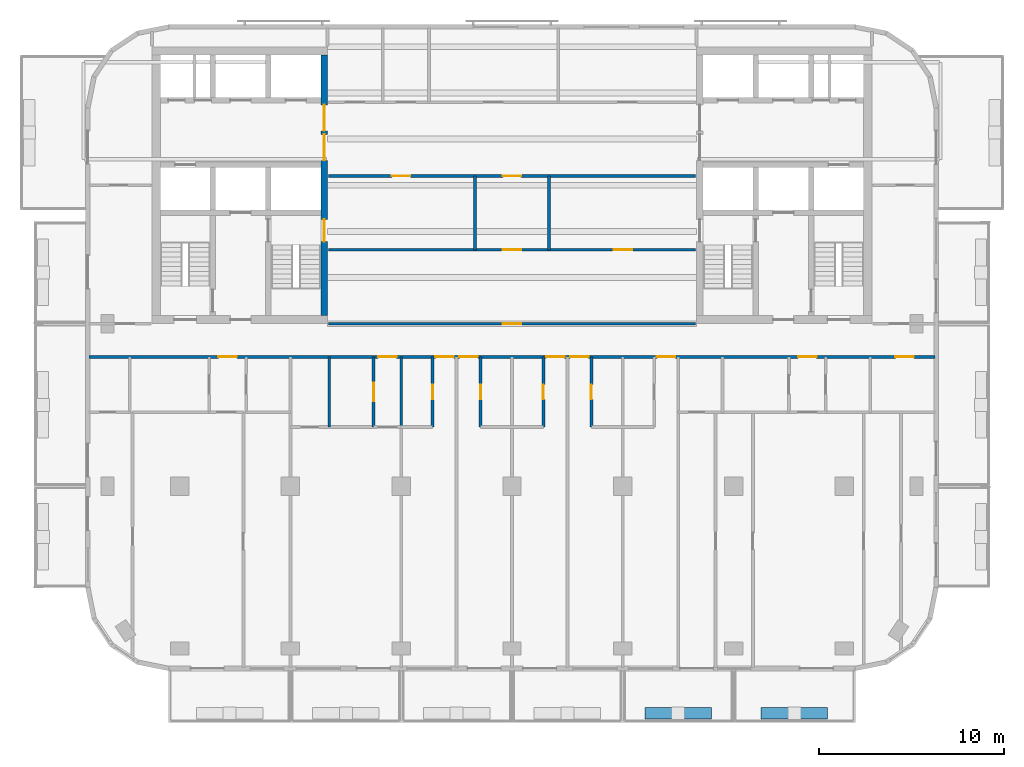
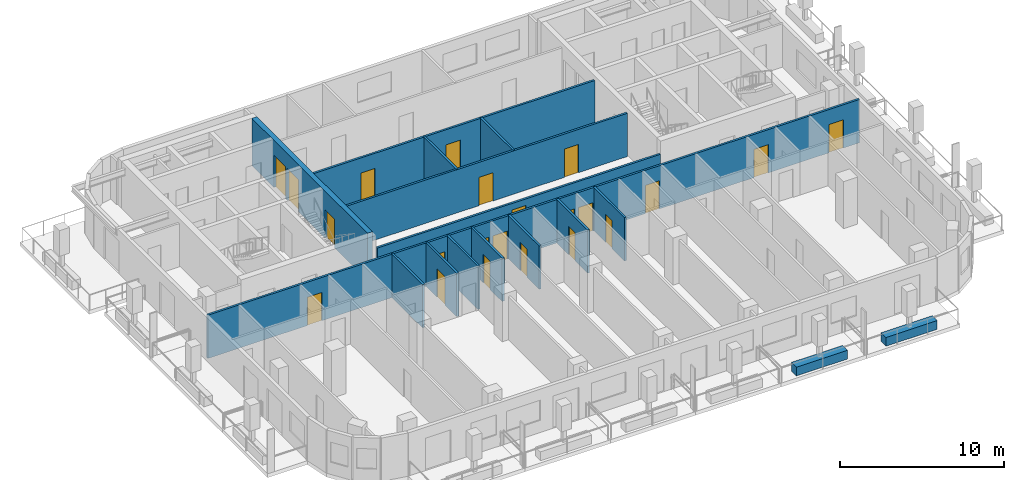
# One storey, part 4 of 11: 22 doors, 16 walls, 22 openings.
"""IFC4 building model written with IfcOpenShell, lengths in metres."""

from ifc_helpers import new_model, si_unit, direction, frame, frame_2d, origin, place, context, subcontext, project, spatial, rectangle, extrude, material, layer, layer_set, type_object, element, fill, save


model = new_model("IFC4")

# Units and contexts
model_context = context("Model", 3, precision=1e-05, world=origin(), true_north=direction((0.0, 1.0)))
body_context = subcontext(model_context, "Body", "Model", "MODEL_VIEW")
ifc_project = project(units=[si_unit("LENGTHUNIT", "METRE"), si_unit("AREAUNIT", "SQUARE_METRE"), si_unit("VOLUMEUNIT", "CUBIC_METRE"), si_unit("PLANEANGLEUNIT", "RADIAN"), si_unit("MASSUNIT", "GRAM", prefix="KILO")], contexts=[model_context])

# Site, building, storey
site_placement = place(None, origin())
site = spatial("IfcSite", under=ifc_project, at=site_placement, CompositionType="ELEMENT")
building_placement = place(site_placement, origin())
building = spatial("IfcBuilding", under=site, at=building_placement, Name="Torana Hotel and Residences", CompositionType="ELEMENT")
storey_placement = place(building_placement, frame((0.0, 0.0, 259.60009765625)))
storey = spatial("IfcBuildingStorey", under=building, at=storey_placement, Name="L68", CompositionType="ELEMENT", Elevation=259.60009765625)

# Wall, openings, doors
ifc_material_1 = material(Name="Concrete C60/75", Category="concrete")
ifc_layer_1 = layer(ifc_material_1, 0.35009765625)
ifc_layer_set_1 = layer_set([ifc_layer_1], Name="CORE WALL 350 C60/75")
wall_type_1 = type_object("IfcWallType", Name="CORE WALL 350 C60/75", PredefinedType="SHEAR", material=ifc_layer_set_1)
wall_1_placement = place(storey_placement, frame((-10.175048828125, -14.550048828125, 0.0), z_axis=(0.0, 0.0, 1.0), x_axis=(0.0, 1.0, 0.0)))
wall_1 = element("IfcWall", 1, at=wall_1_placement, inside=storey, type_object=wall_type_1, Name="Core wall W arch", PredefinedType="SHEAR", context=body_context, shape_type="SweptSolid", body=[
    extrude(rectangle(XDim=14.10009765625, YDim=0.35009765625, at=frame_2d((7.050048828125, 0.0))), origin(), (0.0, 0.0, 1.0), 3.5),
])
opening_1_placement = place(wall_1_placement, frame((8.39990234375, 0.0, 0.0)))
opening_1 = element("IfcOpeningElement", 2, at=opening_1_placement, cuts=wall_1, Name="Opening L68-01", PredefinedType="OPENING", context=body_context, shape_type="SweptSolid", body=[
    extrude(rectangle(XDim=1.39990234375, YDim=2.39990234375, at=frame_2d((0.699951171875, 1.199951171875))), frame((0.0, 0.18505859375, 0.0), z_axis=(0.0, -1.0, 0.0), x_axis=(1.0, 0.0, 0.0)), (0.0, 0.0, 1.0), 0.3701171875),
])
opening_2_placement = place(wall_1_placement, frame((10.0, 0.0, 0.0)))
opening_2 = element("IfcOpeningElement", 3, at=opening_2_placement, cuts=wall_1, Name="Opening L68-02", PredefinedType="OPENING", context=body_context, shape_type="SweptSolid", body=[
    extrude(rectangle(XDim=1.39990234375, YDim=2.39990234375, at=frame_2d((0.699951171875, 1.199951171875))), frame((0.0, 0.18505859375, 0.0), z_axis=(0.0, -1.0, 0.0), x_axis=(1.0, 0.0, 0.0)), (0.0, 0.0, 1.0), 0.3701171875),
])
opening_3_placement = place(wall_1_placement, frame((4.0, 0.0, 0.0)))
opening_3 = element("IfcOpeningElement", 4, at=opening_3_placement, cuts=wall_1, Name="Opening L68-03", PredefinedType="OPENING", context=body_context, shape_type="SweptSolid", body=[
    extrude(rectangle(XDim=1.199951171875, YDim=2.10009765625, at=frame_2d((0.60009765625, 1.050048828125))), frame((0.0, 0.18505859375, 0.0), z_axis=(0.0, -1.0, 0.0), x_axis=(1.0, 0.0, 0.0)), (0.0, 0.0, 1.0), 0.3701171875),
])
ifc_material_2 = material(Name="Steel S235", Category="steel")
door_type_1 = type_object("IfcDoorType", Name="LOBBY FIRE DOOR D4 1400x2400", OperationType="DOUBLE_DOOR_SINGLE_SWING", PredefinedType="DOOR", material=ifc_material_2)
door_1_placement = place(opening_1_placement, origin())
door_1 = element("IfcDoor", 5, at=door_1_placement, inside=storey, type_object=door_type_1, Name="Lobby-1 door L68", OperationType="DOUBLE_DOOR_SINGLE_SWING", OverallHeight=2.39990234375, OverallWidth=1.39990234375, PredefinedType="DOOR", context=body_context, shape_type="SweptSolid", body=[
    extrude(rectangle(XDim=1.39990234375, YDim=2.39990234375, at=frame_2d((0.699951171875, 1.199951171875))), frame((0.0, 0.02490234375, 0.0), z_axis=(0.0, -1.0, 0.0), x_axis=(1.0, 0.0, 0.0)), (0.0, 0.0, 1.0), 0.050048828125),
])
fill(opening_1, door_1)
door_2_placement = place(opening_2_placement, origin())
door_2 = element("IfcDoor", 6, at=door_2_placement, inside=storey, type_object=door_type_1, Name="Lobby-2 door L68", OperationType="DOUBLE_DOOR_SINGLE_SWING", OverallHeight=2.39990234375, OverallWidth=1.39990234375, PredefinedType="DOOR", context=body_context, shape_type="SweptSolid", body=[
    extrude(rectangle(XDim=1.39990234375, YDim=2.39990234375, at=frame_2d((0.699951171875, 1.199951171875))), frame((0.0, 0.02490234375, 0.0), z_axis=(0.0, -1.0, 0.0), x_axis=(1.0, 0.0, 0.0)), (0.0, 0.0, 1.0), 0.050048828125),
])
fill(opening_2, door_2)
ifc_material_3 = material(Name="Steel S235", Category="steel")
door_type_2 = type_object("IfcDoorType", Name="STAIR FIRE DOOR D3 1200x2100", OperationType="SINGLE_SWING_LEFT", PredefinedType="DOOR", material=ifc_material_3)
door_3_placement = place(opening_3_placement, origin())
door_3 = element("IfcDoor", 7, at=door_3_placement, inside=storey, type_object=door_type_2, Name="Stair-A door L68", OperationType="SINGLE_SWING_LEFT", OverallHeight=2.10009765625, OverallWidth=1.199951171875, PredefinedType="DOOR", context=body_context, shape_type="SweptSolid", body=[
    extrude(rectangle(XDim=1.199951171875, YDim=2.10009765625, at=frame_2d((0.60009765625, 1.050048828125))), frame((0.0, 0.02490234375, 0.0), z_axis=(0.0, -1.0, 0.0), x_axis=(1.0, 0.0, 0.0)), (0.0, 0.0, 1.0), 0.050048828125),
])
fill(opening_3, door_3)

# Walls
ifc_material_4 = material(Name="Gypsum plaster")
ifc_layer_2 = layer(ifc_material_4, 0.014892578125, Name="Plaster", Category="finish")
ifc_material_5 = material(Name="Concrete blockwork", Category="masonry")
ifc_layer_3 = layer(ifc_material_5, 0.1201171875, Name="Blockwork", Category="structure")
ifc_layer_4 = layer(ifc_material_4, 0.014892578125, Name="Plaster", Category="finish")
ifc_layer_set_2 = layer_set([ifc_layer_2, ifc_layer_3, ifc_layer_4], Name="FIRE PARTITION 150 BLOCKWORK")
wall_type_2 = type_object("IfcWallType", Name="FIRE PARTITION 150 BLOCKWORK", PredefinedType="PARTITIONING", material=ifc_layer_set_2)
for number, where, z_axis, x_axis, name in (
    (8, (2.0, -11.0, 0.0), (0.0, 0.0, 1.0), (0.0, 1.0, 0.0), "Partition L68"),
    (9, (-2.0, -11.0, 0.0), (0.0, 0.0, 1.0), (0.0, 1.0, 0.0), "Partition L68"),
):
    element("IfcWall", number, at=place(storey_placement, frame(where, z_axis=z_axis, x_axis=x_axis)), inside=storey, type_object=wall_type_2, Name=name, PredefinedType="PARTITIONING", context=body_context, shape_type="SweptSolid", body=[
        extrude(rectangle(XDim=4.0, YDim=0.14990234375, at=frame_2d((2.0, 0.0))), origin(), (0.0, 0.0, 1.0), 3.219970703125),
    ])
wall_2_placement = place(storey_placement, frame((-6.0, -20.60009765625, 0.0), z_axis=(0.0, 0.0, 1.0), x_axis=(0.0, 1.0, 0.0)))
element("IfcWall", 10, at=wall_2_placement, inside=storey, type_object=wall_type_2, Name="Partition L68", PredefinedType="PARTITIONING", context=body_context, shape_type="SweptSolid", body=[
    extrude(rectangle(XDim=3.800048828125, YDim=0.14990234375, at=frame_2d((1.89990234375, 0.0))), origin(), (0.0, 0.0, 1.0), 3.219970703125),
])

# Wall, opening, door
wall_3_placement = place(storey_placement, frame((-7.5, -20.60009765625, 0.0), z_axis=(0.0, 0.0, 1.0), x_axis=(0.0, 1.0, 0.0)))
wall_3 = element("IfcWall", 11, at=wall_3_placement, inside=storey, type_object=wall_type_2, Name="Partition L68", PredefinedType="PARTITIONING", context=body_context, shape_type="SweptSolid", body=[
    extrude(rectangle(XDim=3.800048828125, YDim=0.14990234375, at=frame_2d((1.89990234375, 0.0))), origin(), (0.0, 0.0, 1.0), 3.219970703125),
])
opening_4_placement = place(wall_3_placement, frame((1.39990234375, 0.0, 0.0)))
opening_4 = element("IfcOpeningElement", 12, at=opening_4_placement, cuts=wall_3, Name="Opening L68-40", PredefinedType="OPENING", context=body_context, shape_type="SweptSolid", body=[
    extrude(rectangle(XDim=1.0, YDim=2.10009765625, at=frame_2d((0.5, 1.050048828125))), frame((0.0, 0.0849609375, 0.0), z_axis=(0.0, -1.0, 0.0), x_axis=(1.0, 0.0, 0.0)), (0.0, 0.0, 1.0), 0.169921875),
])
ifc_material_6 = material(Name="Steel S235", Category="steel")
door_type_3 = type_object("IfcDoorType", Name="ENTRY FIRE DOOR D6 1000x2100", OperationType="SINGLE_SWING_LEFT", PredefinedType="DOOR", material=ifc_material_6)
door_4_placement = place(opening_4_placement, origin())
door_4 = element("IfcDoor", 13, at=door_4_placement, inside=storey, type_object=door_type_3, Name="Door L68", OperationType="SINGLE_SWING_RIGHT", OverallHeight=2.10009765625, OverallWidth=1.0, PredefinedType="DOOR", context=body_context, shape_type="SweptSolid", body=[
    extrude(rectangle(XDim=1.0, YDim=2.10009765625, at=frame_2d((0.5, 1.050048828125))), frame((0.0, 0.02490234375, 0.0), z_axis=(0.0, -1.0, 0.0), x_axis=(1.0, 0.0, 0.0)), (0.0, 0.0, 1.0), 0.050048828125),
])
fill(opening_4, door_4)

# Wall, openings, doors
wall_4_placement = place(storey_placement, frame((-22.919921875, -16.800048828125, 0.0), z_axis=(0.0, 0.0, 1.0), x_axis=(1.0, 0.0, 0.0)))
wall_4 = element("IfcWall", 14, at=wall_4_placement, inside=storey, type_object=wall_type_2, Name="Partition L68", PredefinedType="PARTITIONING", context=body_context, shape_type="SweptSolid", body=[
    extrude(rectangle(XDim=45.83984375, YDim=0.14990234375, at=frame_2d((22.919921875, 0.0))), origin(), (0.0, 0.0, 1.0), 3.219970703125),
])
opening_5_placement = place(wall_4_placement, frame((15.669921875, 0.0, 0.0)))
opening_5 = element("IfcOpeningElement", 15, at=opening_5_placement, cuts=wall_4, Name="Opening L68-20", PredefinedType="OPENING", context=body_context, shape_type="SweptSolid", body=[
    extrude(rectangle(XDim=1.0, YDim=2.10009765625, at=frame_2d((0.5, 1.050048828125))), frame((0.0, 0.0849609375, 0.0), z_axis=(0.0, -1.0, 0.0), x_axis=(1.0, 0.0, 0.0)), (0.0, 0.0, 1.0), 0.169921875),
])
opening_6_placement = place(wall_4_placement, frame((18.77001953125, 0.0, 0.0)))
opening_6 = element("IfcOpeningElement", 16, at=opening_6_placement, cuts=wall_4, Name="Opening L68-21", PredefinedType="OPENING", context=body_context, shape_type="SweptSolid", body=[
    extrude(rectangle(XDim=1.0, YDim=2.10009765625, at=frame_2d((0.5, 1.050048828125))), frame((0.0, 0.0849609375, 0.0), z_axis=(0.0, -1.0, 0.0), x_axis=(1.0, 0.0, 0.0)), (0.0, 0.0, 1.0), 0.169921875),
])
opening_7_placement = place(wall_4_placement, frame((20.070068359375, 0.0, 0.0)))
opening_7 = element("IfcOpeningElement", 17, at=opening_7_placement, cuts=wall_4, Name="Opening L68-22", PredefinedType="OPENING", context=body_context, shape_type="SweptSolid", body=[
    extrude(rectangle(XDim=1.0, YDim=2.10009765625, at=frame_2d((0.5, 1.050048828125))), frame((0.0, 0.0849609375, 0.0), z_axis=(0.0, -1.0, 0.0), x_axis=(1.0, 0.0, 0.0)), (0.0, 0.0, 1.0), 0.169921875),
])
opening_8_placement = place(wall_4_placement, frame((24.77001953125, 0.0, 0.0)))
opening_8 = element("IfcOpeningElement", 18, at=opening_8_placement, cuts=wall_4, Name="Opening L68-23", PredefinedType="OPENING", context=body_context, shape_type="SweptSolid", body=[
    extrude(rectangle(XDim=1.0, YDim=2.10009765625, at=frame_2d((0.5, 1.050048828125))), frame((0.0, 0.0849609375, 0.0), z_axis=(0.0, -1.0, 0.0), x_axis=(1.0, 0.0, 0.0)), (0.0, 0.0, 1.0), 0.169921875),
])
opening_9_placement = place(wall_4_placement, frame((26.070068359375, 0.0, 0.0)))
opening_9 = element("IfcOpeningElement", 19, at=opening_9_placement, cuts=wall_4, Name="Opening L68-24", PredefinedType="OPENING", context=body_context, shape_type="SweptSolid", body=[
    extrude(rectangle(XDim=1.0, YDim=2.10009765625, at=frame_2d((0.5, 1.050048828125))), frame((0.0, 0.0849609375, 0.0), z_axis=(0.0, -1.0, 0.0), x_axis=(1.0, 0.0, 0.0)), (0.0, 0.0, 1.0), 0.169921875),
])
opening_10_placement = place(wall_4_placement, frame((30.77001953125, 0.0, 0.0)))
opening_10 = element("IfcOpeningElement", 20, at=opening_10_placement, cuts=wall_4, Name="Opening L68-25", PredefinedType="OPENING", context=body_context, shape_type="SweptSolid", body=[
    extrude(rectangle(XDim=1.0, YDim=2.10009765625, at=frame_2d((0.5, 1.050048828125))), frame((0.0, 0.0849609375, 0.0), z_axis=(0.0, -1.0, 0.0), x_axis=(1.0, 0.0, 0.0)), (0.0, 0.0, 1.0), 0.169921875),
])
opening_11_placement = place(wall_4_placement, frame((7.02001953125, 0.0, 0.0)))
opening_11 = element("IfcOpeningElement", 21, at=opening_11_placement, cuts=wall_4, Name="Opening L68-26", PredefinedType="OPENING", context=body_context, shape_type="SweptSolid", body=[
    extrude(rectangle(XDim=1.0, YDim=2.10009765625, at=frame_2d((0.5, 1.050048828125))), frame((0.0, 0.0849609375, 0.0), z_axis=(0.0, -1.0, 0.0), x_axis=(1.0, 0.0, 0.0)), (0.0, 0.0, 1.0), 0.169921875),
])
opening_12_placement = place(wall_4_placement, frame((38.419921875, 0.0, 0.0)))
opening_12 = element("IfcOpeningElement", 22, at=opening_12_placement, cuts=wall_4, Name="Opening L68-27", PredefinedType="OPENING", context=body_context, shape_type="SweptSolid", body=[
    extrude(rectangle(XDim=1.0, YDim=2.10009765625, at=frame_2d((0.5, 1.050048828125))), frame((0.0, 0.0849609375, 0.0), z_axis=(0.0, -1.0, 0.0), x_axis=(1.0, 0.0, 0.0)), (0.0, 0.0, 1.0), 0.169921875),
])
opening_13_placement = place(wall_4_placement, frame((43.68994140625, 0.0, 0.0)))
opening_13 = element("IfcOpeningElement", 23, at=opening_13_placement, cuts=wall_4, Name="Opening L68-28", PredefinedType="OPENING", context=body_context, shape_type="SweptSolid", body=[
    extrude(rectangle(XDim=1.0, YDim=2.10009765625, at=frame_2d((0.5, 1.050048828125))), frame((0.0, 0.0849609375, 0.0), z_axis=(0.0, -1.0, 0.0), x_axis=(1.0, 0.0, 0.0)), (0.0, 0.0, 1.0), 0.169921875),
])
door_5_placement = place(opening_5_placement, origin())
door_5 = element("IfcDoor", 24, at=door_5_placement, inside=storey, type_object=door_type_3, Name="Door L68", OperationType="SINGLE_SWING_RIGHT", OverallHeight=2.10009765625, OverallWidth=1.0, PredefinedType="DOOR", context=body_context, shape_type="SweptSolid", body=[
    extrude(rectangle(XDim=1.0, YDim=2.10009765625, at=frame_2d((0.5, 1.050048828125))), frame((0.0, 0.02490234375, 0.0), z_axis=(0.0, -1.0, 0.0), x_axis=(1.0, 0.0, 0.0)), (0.0, 0.0, 1.0), 0.050048828125),
])
fill(opening_5, door_5)
door_6_placement = place(opening_6_placement, frame((0.5, 0.0, 0.0), z_axis=(0.0, 0.0, 1.0), x_axis=(-1.0, 0.0, 0.0)))
door_6 = element("IfcDoor", 25, at=door_6_placement, inside=storey, type_object=door_type_3, Name="Door L68", OperationType="SINGLE_SWING_LEFT", OverallHeight=2.10009765625, OverallWidth=1.0, PredefinedType="DOOR", context=body_context, shape_type="SweptSolid", body=[
    extrude(rectangle(XDim=1.0, YDim=2.10009765625, at=frame_2d((0.0, 1.050048828125))), frame((0.0, -0.02490234375, 0.0), z_axis=(0.0, 1.0, 0.0), x_axis=(-1.0, 0.0, 0.0)), (0.0, 0.0, 1.0), 0.050048828125),
])
fill(opening_6, door_6)
door_7_placement = place(opening_7_placement, frame((0.5, 0.0, 0.0), z_axis=(0.0, 0.0, 1.0), x_axis=(-1.0, 0.0, 0.0)))
door_7 = element("IfcDoor", 26, at=door_7_placement, inside=storey, type_object=door_type_3, Name="Door L68", OperationType="SINGLE_SWING_LEFT", OverallHeight=2.10009765625, OverallWidth=1.0, PredefinedType="DOOR", context=body_context, shape_type="SweptSolid", body=[
    extrude(rectangle(XDim=1.0, YDim=2.10009765625, at=frame_2d((0.0, 1.050048828125))), frame((0.0, -0.02490234375, 0.0), z_axis=(0.0, 1.0, 0.0), x_axis=(-1.0, 0.0, 0.0)), (0.0, 0.0, 1.0), 0.050048828125),
])
fill(opening_7, door_7)
door_8_placement = place(opening_8_placement, frame((0.5, 0.0, 0.0), z_axis=(0.0, 0.0, 1.0), x_axis=(-1.0, 0.0, 0.0)))
door_8 = element("IfcDoor", 27, at=door_8_placement, inside=storey, type_object=door_type_3, Name="Door L68", OperationType="SINGLE_SWING_LEFT", OverallHeight=2.10009765625, OverallWidth=1.0, PredefinedType="DOOR", context=body_context, shape_type="SweptSolid", body=[
    extrude(rectangle(XDim=1.0, YDim=2.10009765625, at=frame_2d((0.0, 1.050048828125))), frame((0.0, -0.02490234375, 0.0), z_axis=(0.0, 1.0, 0.0), x_axis=(-1.0, 0.0, 0.0)), (0.0, 0.0, 1.0), 0.050048828125),
])
fill(opening_8, door_8)
door_9_placement = place(opening_9_placement, frame((0.5, 0.0, 0.0), z_axis=(0.0, 0.0, 1.0), x_axis=(-1.0, 0.0, 0.0)))
door_9 = element("IfcDoor", 28, at=door_9_placement, inside=storey, type_object=door_type_3, Name="Door L68", OperationType="SINGLE_SWING_LEFT", OverallHeight=2.10009765625, OverallWidth=1.0, PredefinedType="DOOR", context=body_context, shape_type="SweptSolid", body=[
    extrude(rectangle(XDim=1.0, YDim=2.10009765625, at=frame_2d((0.0, 1.050048828125))), frame((0.0, -0.02490234375, 0.0), z_axis=(0.0, 1.0, 0.0), x_axis=(-1.0, 0.0, 0.0)), (0.0, 0.0, 1.0), 0.050048828125),
])
fill(opening_9, door_9)
door_10_placement = place(opening_10_placement, frame((0.5, 0.0, 0.0), z_axis=(0.0, 0.0, 1.0), x_axis=(-1.0, 0.0, 0.0)))
door_10 = element("IfcDoor", 29, at=door_10_placement, inside=storey, type_object=door_type_3, Name="Door L68", OperationType="SINGLE_SWING_LEFT", OverallHeight=2.10009765625, OverallWidth=1.0, PredefinedType="DOOR", context=body_context, shape_type="SweptSolid", body=[
    extrude(rectangle(XDim=1.0, YDim=2.10009765625, at=frame_2d((0.0, 1.050048828125))), frame((0.0, -0.02490234375, 0.0), z_axis=(0.0, 1.0, 0.0), x_axis=(-1.0, 0.0, 0.0)), (0.0, 0.0, 1.0), 0.050048828125),
])
fill(opening_10, door_10)
door_11_placement = place(opening_11_placement, origin())
door_11 = element("IfcDoor", 30, at=door_11_placement, inside=storey, type_object=door_type_3, Name="Door L68", OperationType="SINGLE_SWING_RIGHT", OverallHeight=2.10009765625, OverallWidth=1.0, PredefinedType="DOOR", context=body_context, shape_type="SweptSolid", body=[
    extrude(rectangle(XDim=1.0, YDim=2.10009765625, at=frame_2d((0.5, 1.050048828125))), frame((0.0, 0.02490234375, 0.0), z_axis=(0.0, -1.0, 0.0), x_axis=(1.0, 0.0, 0.0)), (0.0, 0.0, 1.0), 0.050048828125),
])
fill(opening_11, door_11)
door_12_placement = place(opening_12_placement, origin())
door_12 = element("IfcDoor", 31, at=door_12_placement, inside=storey, type_object=door_type_3, Name="Door L68", OperationType="SINGLE_SWING_RIGHT", OverallHeight=2.10009765625, OverallWidth=1.0, PredefinedType="DOOR", context=body_context, shape_type="SweptSolid", body=[
    extrude(rectangle(XDim=1.0, YDim=2.10009765625, at=frame_2d((0.5, 1.050048828125))), frame((0.0, 0.02490234375, 0.0), z_axis=(0.0, -1.0, 0.0), x_axis=(1.0, 0.0, 0.0)), (0.0, 0.0, 1.0), 0.050048828125),
])
fill(opening_12, door_12)
door_13_placement = place(opening_13_placement, frame((0.5, 0.0, 0.0), z_axis=(0.0, 0.0, 1.0), x_axis=(-1.0, 0.0, 0.0)))
door_13 = element("IfcDoor", 32, at=door_13_placement, inside=storey, type_object=door_type_3, Name="Door L68", OperationType="SINGLE_SWING_RIGHT", OverallHeight=2.10009765625, OverallWidth=1.0, PredefinedType="DOOR", context=body_context, shape_type="SweptSolid", body=[
    extrude(rectangle(XDim=1.0, YDim=2.10009765625, at=frame_2d((0.0, 1.050048828125))), frame((0.0, -0.02490234375, 0.0), z_axis=(0.0, 1.0, 0.0), x_axis=(-1.0, 0.0, 0.0)), (0.0, 0.0, 1.0), 0.050048828125),
])
fill(opening_13, door_13)

# Wall, opening, door
wall_5_placement = place(storey_placement, frame((-9.949951171875, -15.0, 0.0), z_axis=(0.0, 0.0, 1.0), x_axis=(1.0, 0.0, 0.0)))
wall_5 = element("IfcWall", 33, at=wall_5_placement, inside=storey, type_object=wall_type_2, Name="Partition L68", PredefinedType="PARTITIONING", context=body_context, shape_type="SweptSolid", body=[
    extrude(rectangle(XDim=19.89990234375, YDim=0.14990234375, at=frame_2d((9.949951171875, 0.0))), origin(), (0.0, 0.0, 1.0), 2.583984375),
])
opening_14_placement = place(wall_5_placement, frame((9.449951171875, 0.0, 0.0)))
opening_14 = element("IfcOpeningElement", 34, at=opening_14_placement, cuts=wall_5, Name="Opening L68-19", PredefinedType="OPENING", context=body_context, shape_type="SweptSolid", body=[
    extrude(rectangle(XDim=1.0, YDim=2.10009765625, at=frame_2d((0.5, 1.050048828125))), frame((0.0, 0.0849609375, 0.0), z_axis=(0.0, -1.0, 0.0), x_axis=(1.0, 0.0, 0.0)), (0.0, 0.0, 1.0), 0.169921875),
])
door_14_placement = place(opening_14_placement, origin())
door_14 = element("IfcDoor", 35, at=door_14_placement, inside=storey, type_object=door_type_3, Name="Door L68", OperationType="SINGLE_SWING_RIGHT", OverallHeight=2.10009765625, OverallWidth=1.0, PredefinedType="DOOR", context=body_context, shape_type="SweptSolid", body=[
    extrude(rectangle(XDim=1.0, YDim=2.10009765625, at=frame_2d((0.5, 1.050048828125))), frame((0.0, 0.02490234375, 0.0), z_axis=(0.0, -1.0, 0.0), x_axis=(1.0, 0.0, 0.0)), (0.0, 0.0, 1.0), 0.050048828125),
])
fill(opening_14, door_14)

# Wall, openings, doors
wall_6_placement = place(storey_placement, frame((-9.949951171875, -11.0, 0.0), z_axis=(0.0, 0.0, 1.0), x_axis=(1.0, 0.0, 0.0)))
wall_6 = element("IfcWall", 36, at=wall_6_placement, inside=storey, type_object=wall_type_2, Name="Partition L68", PredefinedType="PARTITIONING", context=body_context, shape_type="SweptSolid", body=[
    extrude(rectangle(XDim=19.89990234375, YDim=0.14990234375, at=frame_2d((9.949951171875, 0.0))), origin(), (0.0, 0.0, 1.0), 3.219970703125),
])
opening_15_placement = place(wall_6_placement, frame((9.449951171875, 0.0, 0.0)))
opening_15 = element("IfcOpeningElement", 37, at=opening_15_placement, cuts=wall_6, Name="Opening L68-31", PredefinedType="OPENING", context=body_context, shape_type="SweptSolid", body=[
    extrude(rectangle(XDim=1.0, YDim=2.10009765625, at=frame_2d((0.5, 1.050048828125))), frame((0.0, 0.0849609375, 0.0), z_axis=(0.0, -1.0, 0.0), x_axis=(1.0, 0.0, 0.0)), (0.0, 0.0, 1.0), 0.169921875),
])
opening_16_placement = place(wall_6_placement, frame((15.449951171875, 0.0, 0.0)))
opening_16 = element("IfcOpeningElement", 38, at=opening_16_placement, cuts=wall_6, Name="Opening L68-32", PredefinedType="OPENING", context=body_context, shape_type="SweptSolid", body=[
    extrude(rectangle(XDim=1.0, YDim=2.10009765625, at=frame_2d((0.5, 1.050048828125))), frame((0.0, 0.0849609375, 0.0), z_axis=(0.0, -1.0, 0.0), x_axis=(1.0, 0.0, 0.0)), (0.0, 0.0, 1.0), 0.169921875),
])
door_15_placement = place(opening_15_placement, origin())
door_15 = element("IfcDoor", 39, at=door_15_placement, inside=storey, type_object=door_type_3, Name="Door L68", OperationType="SINGLE_SWING_RIGHT", OverallHeight=2.10009765625, OverallWidth=1.0, PredefinedType="DOOR", context=body_context, shape_type="SweptSolid", body=[
    extrude(rectangle(XDim=1.0, YDim=2.10009765625, at=frame_2d((0.5, 1.050048828125))), frame((0.0, 0.02490234375, 0.0), z_axis=(0.0, -1.0, 0.0), x_axis=(1.0, 0.0, 0.0)), (0.0, 0.0, 1.0), 0.050048828125),
])
fill(opening_15, door_15)
door_16_placement = place(opening_16_placement, origin())
door_16 = element("IfcDoor", 40, at=door_16_placement, inside=storey, type_object=door_type_3, Name="Door L68", OperationType="SINGLE_SWING_RIGHT", OverallHeight=2.10009765625, OverallWidth=1.0, PredefinedType="DOOR", context=body_context, shape_type="SweptSolid", body=[
    extrude(rectangle(XDim=1.0, YDim=2.10009765625, at=frame_2d((0.5, 1.050048828125))), frame((0.0, 0.02490234375, 0.0), z_axis=(0.0, -1.0, 0.0), x_axis=(1.0, 0.0, 0.0)), (0.0, 0.0, 1.0), 0.050048828125),
])
fill(opening_16, door_16)

wall_7_placement = place(storey_placement, frame((-9.949951171875, -7.0, 0.0), z_axis=(0.0, 0.0, 1.0), x_axis=(1.0, 0.0, 0.0)))
wall_7 = element("IfcWall", 41, at=wall_7_placement, inside=storey, type_object=wall_type_2, Name="Partition L68", PredefinedType="PARTITIONING", context=body_context, shape_type="SweptSolid", body=[
    extrude(rectangle(XDim=19.89990234375, YDim=0.14990234375, at=frame_2d((9.949951171875, 0.0))), origin(), (0.0, 0.0, 1.0), 3.219970703125),
])
opening_17_placement = place(wall_7_placement, frame((9.449951171875, 0.0, 0.0)))
opening_17 = element("IfcOpeningElement", 42, at=opening_17_placement, cuts=wall_7, Name="Opening L68-33", PredefinedType="OPENING", context=body_context, shape_type="SweptSolid", body=[
    extrude(rectangle(XDim=1.0, YDim=2.10009765625, at=frame_2d((0.5, 1.050048828125))), frame((0.0, 0.0849609375, 0.0), z_axis=(0.0, -1.0, 0.0), x_axis=(1.0, 0.0, 0.0)), (0.0, 0.0, 1.0), 0.169921875),
])
opening_18_placement = place(wall_7_placement, frame((3.449951171875, 0.0, 0.0)))
opening_18 = element("IfcOpeningElement", 43, at=opening_18_placement, cuts=wall_7, Name="Opening L68-34", PredefinedType="OPENING", context=body_context, shape_type="SweptSolid", body=[
    extrude(rectangle(XDim=1.0, YDim=2.10009765625, at=frame_2d((0.5, 1.050048828125))), frame((0.0, 0.0849609375, 0.0), z_axis=(0.0, -1.0, 0.0), x_axis=(1.0, 0.0, 0.0)), (0.0, 0.0, 1.0), 0.169921875),
])
door_17_placement = place(opening_17_placement, origin())
door_17 = element("IfcDoor", 44, at=door_17_placement, inside=storey, type_object=door_type_3, Name="Door L68", OperationType="SINGLE_SWING_RIGHT", OverallHeight=2.10009765625, OverallWidth=1.0, PredefinedType="DOOR", context=body_context, shape_type="SweptSolid", body=[
    extrude(rectangle(XDim=1.0, YDim=2.10009765625, at=frame_2d((0.5, 1.050048828125))), frame((0.0, 0.02490234375, 0.0), z_axis=(0.0, -1.0, 0.0), x_axis=(1.0, 0.0, 0.0)), (0.0, 0.0, 1.0), 0.050048828125),
])
fill(opening_17, door_17)
door_18_placement = place(opening_18_placement, frame((0.5, 0.0, 0.0), z_axis=(0.0, 0.0, 1.0), x_axis=(-1.0, 0.0, 0.0)))
door_18 = element("IfcDoor", 45, at=door_18_placement, inside=storey, type_object=door_type_3, Name="Door L68", OperationType="SINGLE_SWING_LEFT", OverallHeight=2.10009765625, OverallWidth=1.0, PredefinedType="DOOR", context=body_context, shape_type="SweptSolid", body=[
    extrude(rectangle(XDim=1.0, YDim=2.10009765625, at=frame_2d((0.0, 1.050048828125))), frame((0.0, -0.02490234375, 0.0), z_axis=(0.0, 1.0, 0.0), x_axis=(-1.0, 0.0, 0.0)), (0.0, 0.0, 1.0), 0.050048828125),
])
fill(opening_18, door_18)

# Wall, opening, door
ifc_material_7 = material(Name="Gypsum plasterboard")
ifc_layer_5 = layer(ifc_material_7, 0.012451171875, Name="Plasterboard", Category="finish")
ifc_layer_6 = layer(ifc_material_7, 0.012451171875, Name="Plasterboard", Category="finish")
ifc_material_8 = material(Name="Steel S280GD", Category="steel")
ifc_layer_7 = layer(ifc_material_8, 0.10009765625, Name="Steel studs with mineral wool", Category="insulation")
ifc_layer_8 = layer(ifc_material_7, 0.012451171875, Name="Plasterboard", Category="finish")
ifc_layer_9 = layer(ifc_material_7, 0.012451171875, Name="Plasterboard", Category="finish")
ifc_layer_set_3 = layer_set([ifc_layer_5, ifc_layer_6, ifc_layer_7, ifc_layer_8, ifc_layer_9], Name="PARTITION 150 PLASTERBOARD")
wall_type_3 = type_object("IfcWallType", Name="PARTITION 150 PLASTERBOARD", PredefinedType="PARTITIONING", material=ifc_layer_set_3)
wall_8_placement = place(storey_placement, frame((4.300048828125, -20.60009765625, 0.0), z_axis=(0.0, 0.0, 1.0), x_axis=(0.0, 1.0, 0.0)))
wall_8 = element("IfcWall", 46, at=wall_8_placement, inside=storey, type_object=wall_type_3, Name="Partition L68", PredefinedType="PARTITIONING", context=body_context, shape_type="SweptSolid", body=[
    extrude(rectangle(XDim=3.800048828125, YDim=0.14990234375, at=frame_2d((1.89990234375, 0.0))), origin(), (0.0, 0.0, 1.0), 3.219970703125),
])
opening_19_placement = place(wall_8_placement, frame((1.5, 0.0, 0.0)))
opening_19 = element("IfcOpeningElement", 47, at=opening_19_placement, cuts=wall_8, Name="Opening L68-45", PredefinedType="OPENING", context=body_context, shape_type="SweptSolid", body=[
    extrude(rectangle(XDim=0.800048828125, YDim=2.10009765625, at=frame_2d((0.39990234375, 1.050048828125))), frame((0.0, 0.0849609375, 0.0), z_axis=(0.0, -1.0, 0.0), x_axis=(1.0, 0.0, 0.0)), (0.0, 0.0, 1.0), 0.169921875),
])
ifc_material_9 = material(Name="Timber door, painted", Category="wood")
door_type_4 = type_object("IfcDoorType", Name="BATH DOOR D13 800x2100", OperationType="SINGLE_SWING_LEFT", PredefinedType="DOOR", material=ifc_material_9)
door_19_placement = place(opening_19_placement, origin())
door_19 = element("IfcDoor", 48, at=door_19_placement, inside=storey, type_object=door_type_4, Name="Door L68", OperationType="SINGLE_SWING_RIGHT", OverallHeight=2.10009765625, OverallWidth=0.800048828125, PredefinedType="DOOR", context=body_context, shape_type="SweptSolid", body=[
    extrude(rectangle(XDim=0.800048828125, YDim=2.10009765625, at=frame_2d((0.39990234375, 1.050048828125))), frame((0.0, 0.02490234375, 0.0), z_axis=(0.0, -1.0, 0.0), x_axis=(1.0, 0.0, 0.0)), (0.0, 0.0, 1.0), 0.050048828125),
])
fill(opening_19, door_19)

wall_9_placement = place(storey_placement, frame((1.699951171875, -20.60009765625, 0.0), z_axis=(0.0, 0.0, 1.0), x_axis=(0.0, 1.0, 0.0)))
wall_9 = element("IfcWall", 49, at=wall_9_placement, inside=storey, type_object=wall_type_3, Name="Partition L68", PredefinedType="PARTITIONING", context=body_context, shape_type="SweptSolid", body=[
    extrude(rectangle(XDim=3.800048828125, YDim=0.14990234375, at=frame_2d((1.89990234375, 0.0))), origin(), (0.0, 0.0, 1.0), 3.219970703125),
])
opening_20_placement = place(wall_9_placement, frame((1.5, 0.0, 0.0)))
opening_20 = element("IfcOpeningElement", 50, at=opening_20_placement, cuts=wall_9, Name="Opening L68-44", PredefinedType="OPENING", context=body_context, shape_type="SweptSolid", body=[
    extrude(rectangle(XDim=0.800048828125, YDim=2.10009765625, at=frame_2d((0.39990234375, 1.050048828125))), frame((0.0, 0.0849609375, 0.0), z_axis=(0.0, -1.0, 0.0), x_axis=(1.0, 0.0, 0.0)), (0.0, 0.0, 1.0), 0.169921875),
])
door_20_placement = place(opening_20_placement, origin())
door_20 = element("IfcDoor", 51, at=door_20_placement, inside=storey, type_object=door_type_4, Name="Door L68", OperationType="SINGLE_SWING_RIGHT", OverallHeight=2.10009765625, OverallWidth=0.800048828125, PredefinedType="DOOR", context=body_context, shape_type="SweptSolid", body=[
    extrude(rectangle(XDim=0.800048828125, YDim=2.10009765625, at=frame_2d((0.39990234375, 1.050048828125))), frame((0.0, 0.02490234375, 0.0), z_axis=(0.0, -1.0, 0.0), x_axis=(1.0, 0.0, 0.0)), (0.0, 0.0, 1.0), 0.050048828125),
])
fill(opening_20, door_20)

wall_10_placement = place(storey_placement, frame((-1.699951171875, -20.60009765625, 0.0), z_axis=(0.0, 0.0, 1.0), x_axis=(0.0, 1.0, 0.0)))
wall_10 = element("IfcWall", 52, at=wall_10_placement, inside=storey, type_object=wall_type_3, Name="Partition L68", PredefinedType="PARTITIONING", context=body_context, shape_type="SweptSolid", body=[
    extrude(rectangle(XDim=3.800048828125, YDim=0.14990234375, at=frame_2d((1.89990234375, 0.0))), origin(), (0.0, 0.0, 1.0), 3.219970703125),
])
opening_21_placement = place(wall_10_placement, frame((1.5, 0.0, 0.0)))
opening_21 = element("IfcOpeningElement", 53, at=opening_21_placement, cuts=wall_10, Name="Opening L68-43", PredefinedType="OPENING", context=body_context, shape_type="SweptSolid", body=[
    extrude(rectangle(XDim=0.800048828125, YDim=2.10009765625, at=frame_2d((0.39990234375, 1.050048828125))), frame((0.0, 0.0849609375, 0.0), z_axis=(0.0, -1.0, 0.0), x_axis=(1.0, 0.0, 0.0)), (0.0, 0.0, 1.0), 0.169921875),
])
door_21_placement = place(opening_21_placement, origin())
door_21 = element("IfcDoor", 54, at=door_21_placement, inside=storey, type_object=door_type_4, Name="Door L68", OperationType="SINGLE_SWING_RIGHT", OverallHeight=2.10009765625, OverallWidth=0.800048828125, PredefinedType="DOOR", context=body_context, shape_type="SweptSolid", body=[
    extrude(rectangle(XDim=0.800048828125, YDim=2.10009765625, at=frame_2d((0.39990234375, 1.050048828125))), frame((0.0, 0.02490234375, 0.0), z_axis=(0.0, -1.0, 0.0), x_axis=(1.0, 0.0, 0.0)), (0.0, 0.0, 1.0), 0.050048828125),
])
fill(opening_21, door_21)

wall_11_placement = place(storey_placement, frame((-4.300048828125, -20.60009765625, 0.0), z_axis=(0.0, 0.0, 1.0), x_axis=(0.0, 1.0, 0.0)))
wall_11 = element("IfcWall", 55, at=wall_11_placement, inside=storey, type_object=wall_type_3, Name="Partition L68", PredefinedType="PARTITIONING", context=body_context, shape_type="SweptSolid", body=[
    extrude(rectangle(XDim=3.800048828125, YDim=0.14990234375, at=frame_2d((1.89990234375, 0.0))), origin(), (0.0, 0.0, 1.0), 3.219970703125),
])
opening_22_placement = place(wall_11_placement, frame((1.5, 0.0, 0.0)))
opening_22 = element("IfcOpeningElement", 56, at=opening_22_placement, cuts=wall_11, Name="Opening L68-42", PredefinedType="OPENING", context=body_context, shape_type="SweptSolid", body=[
    extrude(rectangle(XDim=0.800048828125, YDim=2.10009765625, at=frame_2d((0.39990234375, 1.050048828125))), frame((0.0, 0.0849609375, 0.0), z_axis=(0.0, -1.0, 0.0), x_axis=(1.0, 0.0, 0.0)), (0.0, 0.0, 1.0), 0.169921875),
])
door_22_placement = place(opening_22_placement, origin())
door_22 = element("IfcDoor", 57, at=door_22_placement, inside=storey, type_object=door_type_4, Name="Door L68", OperationType="SINGLE_SWING_RIGHT", OverallHeight=2.10009765625, OverallWidth=0.800048828125, PredefinedType="DOOR", context=body_context, shape_type="SweptSolid", body=[
    extrude(rectangle(XDim=0.800048828125, YDim=2.10009765625, at=frame_2d((0.39990234375, 1.050048828125))), frame((0.0, 0.02490234375, 0.0), z_axis=(0.0, -1.0, 0.0), x_axis=(1.0, 0.0, 0.0)), (0.0, 0.0, 1.0), 0.050048828125),
])
fill(opening_22, door_22)

# Walls
wall_12_placement = place(storey_placement, frame((-9.89990234375, -20.60009765625, 0.0), z_axis=(0.0, 0.0, 1.0), x_axis=(0.0, 1.0, 0.0)))
element("IfcWall", 58, at=wall_12_placement, inside=storey, type_object=wall_type_3, Name="Partition L68", PredefinedType="PARTITIONING", context=body_context, shape_type="SweptSolid", body=[
    extrude(rectangle(XDim=3.800048828125, YDim=0.14990234375, at=frame_2d((1.89990234375, 0.0))), origin(), (0.0, 0.0, 1.0), 3.219970703125),
])
ifc_material_10 = material(Name="Concrete C40/50 precast", Category="concrete")
ifc_layer_10 = layer(ifc_material_10, 0.10009765625, Name="Planter shell", Category="structure")
ifc_material_11 = material(Name="Root resistant membrane")
ifc_layer_11 = layer(ifc_material_11, 0.00390625, Name="Waterproofing membrane", Category="membrane")
ifc_material_12 = material(Name="Drainage board with filter fleece")
ifc_layer_12 = layer(ifc_material_12, 0.02001953125, Name="Drainage board", Category="drainage")
ifc_material_13 = material(Name="Growing medium")
ifc_layer_13 = layer(ifc_material_13, 0.47607421875, Name="Planting substrate", Category="soil")
ifc_layer_set_4 = layer_set([ifc_layer_10, ifc_layer_11, ifc_layer_12, ifc_layer_13], Name="PL1 BALCONY PLANTER 600")
wall_type_4 = type_object("IfcWallType", Name="PL1 BALCONY PLANTER 600", PredefinedType="USERDEFINED", material=ifc_layer_set_4)
for number, where, z_axis, x_axis, name in (
    (59, (10.800048828125, -36.10009765625, 0.0), (0.0, 0.0, 1.0), (-1.0, 0.0, 0.0), "Planter 05"),
    (60, (17.10009765625, -36.10009765625, 0.0), (0.0, 0.0, 1.0), (-1.0, 0.0, 0.0), "Planter 06"),
):
    element("IfcWall", number, at=place(storey_placement, frame(where, z_axis=z_axis, x_axis=x_axis)), inside=storey, type_object=wall_type_4, Name=name, ObjectType="PLANTER", PredefinedType="USERDEFINED", context=body_context, shape_type="SweptSolid", body=[
        extrude(rectangle(XDim=3.60009765625, YDim=0.60009765625, at=frame_2d((1.800048828125, 0.0))), origin(), (0.0, 0.0, 1.0), 0.64990234375),
    ])

save(model, "model.ifc")
